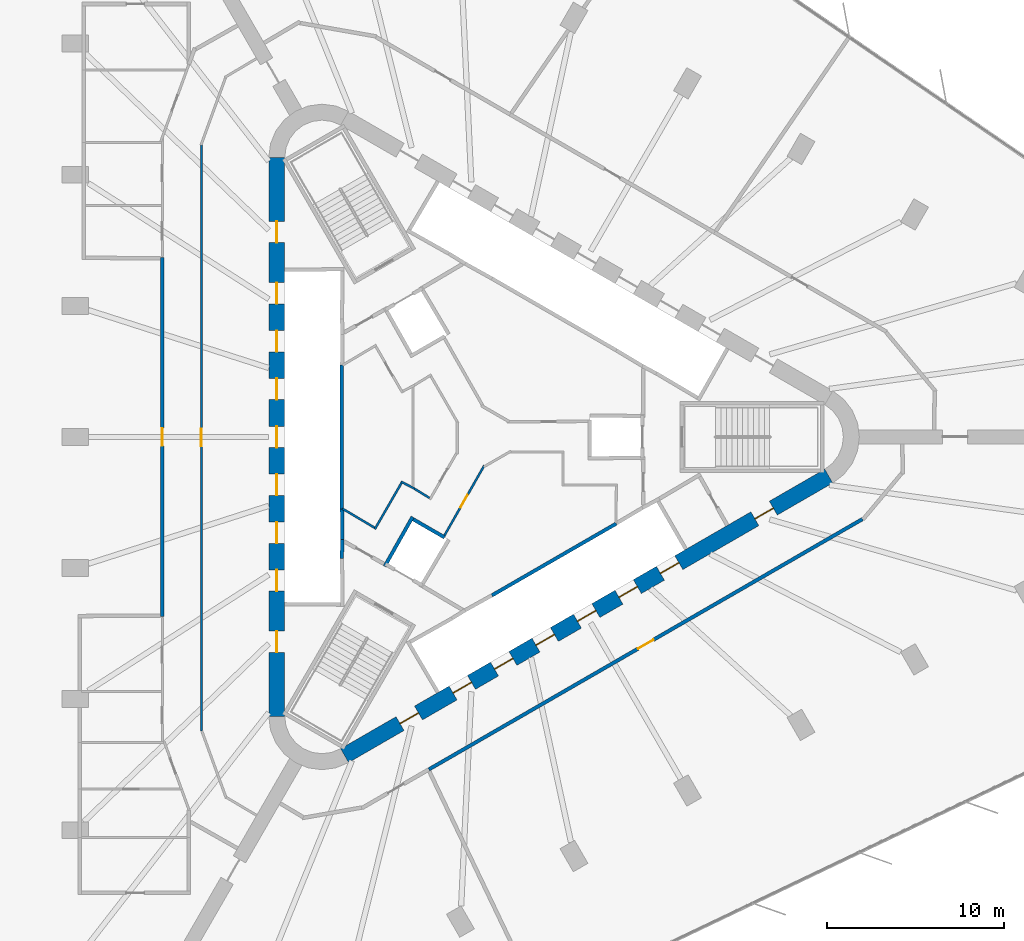
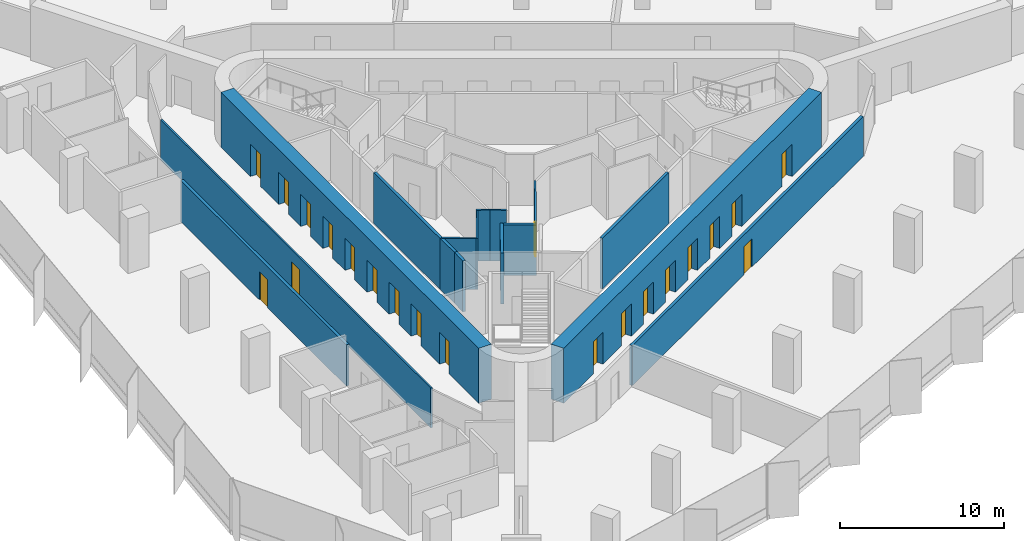
# One storey, part 10 of 15: 21 doors, 16 walls, 21 openings.
"""IFC4 building model written with IfcOpenShell, lengths in metres."""

from ifc_helpers import new_model, si_unit, direction, frame, frame_2d, origin, place, context, subcontext, project, spatial, rectangle, extrude, material, layer, layer_set, type_object, element, fill, save


model = new_model("IFC4")

# Units and contexts
model_context = context("Model", 3, precision=1e-05, world=origin(), true_north=direction((0.0, 1.0)))
body_context = subcontext(model_context, "Body", "Model", "MODEL_VIEW")
ifc_project = project(units=[si_unit("LENGTHUNIT", "METRE"), si_unit("AREAUNIT", "SQUARE_METRE"), si_unit("VOLUMEUNIT", "CUBIC_METRE"), si_unit("PLANEANGLEUNIT", "RADIAN"), si_unit("MASSUNIT", "GRAM", prefix="KILO")], contexts=[model_context])

# Site, building, storey
site_placement = place(None, origin())
site = spatial("IfcSite", under=ifc_project, at=site_placement, CompositionType="ELEMENT")
building_placement = place(site_placement, origin())
building = spatial("IfcBuilding", under=site, at=building_placement, Name="Tanit Gate Tower", CompositionType="ELEMENT")
storey_placement = place(building_placement, frame((0.0, 0.0, 98.800048828125)))
storey = spatial("IfcBuildingStorey", under=building, at=storey_placement, Name="L20", CompositionType="ELEMENT", Elevation=98.800048828125)

# Wall, openings, doors
ifc_material_1 = material(Name="Concrete C60/75", Category="concrete")
ifc_layer_1 = layer(ifc_material_1, 0.89990234375)
ifc_layer_set_1 = layer_set([ifc_layer_1], Name="CORE WALL 900 C60/75")
wall_type_1 = type_object("IfcWallType", Name="CORE WALL 900 C60/75", PredefinedType="SHEAR", material=ifc_layer_set_1)
wall_1_placement = place(storey_placement, frame((-11.64990234375, 15.76171875, 0.0), z_axis=(0.0, 0.0, 1.0), x_axis=(0.0, -1.0, 0.0)))
wall_1 = element("IfcWall", 1, at=wall_1_placement, inside=storey, type_object=wall_type_1, Name="CORE WALL", PredefinedType="SHEAR", context=body_context, shape_type="SweptSolid", body=[
    extrude(rectangle(XDim=31.5234375, YDim=0.89990234375, at=frame_2d((15.76171875, 0.0))), origin(), (0.0, 0.0, 1.0), 4.099853515625),
])
opening_1_placement = place(wall_1_placement, frame((7.061767578125, 0.0, 0.0)))
opening_1 = element("IfcOpeningElement", 2, at=opening_1_placement, cuts=wall_1, Name="Opening LDLL1-S04", PredefinedType="OPENING", context=body_context, shape_type="SweptSolid", body=[
    extrude(rectangle(XDim=1.199951171875, YDim=2.39990234375, at=frame_2d((0.60009765625, 1.199951171875))), frame((0.0, 0.4599609375, 0.0), z_axis=(0.0, -1.0, 0.0), x_axis=(1.0, 0.0, 0.0)), (0.0, 0.0, 1.0), 0.919921875),
])
opening_2_placement = place(wall_1_placement, frame((9.76171875, 0.0, 0.0)))
opening_2 = element("IfcOpeningElement", 3, at=opening_2_placement, cuts=wall_1, Name="Opening LDLL2-S04", PredefinedType="OPENING", context=body_context, shape_type="SweptSolid", body=[
    extrude(rectangle(XDim=1.199951171875, YDim=2.39990234375, at=frame_2d((0.60009765625, 1.199951171875))), frame((0.0, 0.4599609375, 0.0), z_axis=(0.0, -1.0, 0.0), x_axis=(1.0, 0.0, 0.0)), (0.0, 0.0, 1.0), 0.919921875),
])
opening_3_placement = place(wall_1_placement, frame((12.461669921875, 0.0, 0.0)))
opening_3 = element("IfcOpeningElement", 4, at=opening_3_placement, cuts=wall_1, Name="Opening LDLL3-S04", PredefinedType="OPENING", context=body_context, shape_type="SweptSolid", body=[
    extrude(rectangle(XDim=1.199951171875, YDim=2.39990234375, at=frame_2d((0.60009765625, 1.199951171875))), frame((0.0, 0.4599609375, 0.0), z_axis=(0.0, -1.0, 0.0), x_axis=(1.0, 0.0, 0.0)), (0.0, 0.0, 1.0), 0.919921875),
])
opening_4_placement = place(wall_1_placement, frame((15.16162109375, 0.0, 0.0)))
opening_4 = element("IfcOpeningElement", 5, at=opening_4_placement, cuts=wall_1, Name="Opening LDLL4-S04", PredefinedType="OPENING", context=body_context, shape_type="SweptSolid", body=[
    extrude(rectangle(XDim=1.199951171875, YDim=2.39990234375, at=frame_2d((0.60009765625, 1.199951171875))), frame((0.0, 0.4599609375, 0.0), z_axis=(0.0, -1.0, 0.0), x_axis=(1.0, 0.0, 0.0)), (0.0, 0.0, 1.0), 0.919921875),
])
opening_5_placement = place(wall_1_placement, frame((17.86181640625, 0.0, 0.0)))
opening_5 = element("IfcOpeningElement", 6, at=opening_5_placement, cuts=wall_1, Name="Opening LDLL5-S04", PredefinedType="OPENING", context=body_context, shape_type="SweptSolid", body=[
    extrude(rectangle(XDim=1.199951171875, YDim=2.39990234375, at=frame_2d((0.60009765625, 1.199951171875))), frame((0.0, 0.4599609375, 0.0), z_axis=(0.0, -1.0, 0.0), x_axis=(1.0, 0.0, 0.0)), (0.0, 0.0, 1.0), 0.919921875),
])
opening_6_placement = place(wall_1_placement, frame((20.561767578125, 0.0, 0.0)))
opening_6 = element("IfcOpeningElement", 7, at=opening_6_placement, cuts=wall_1, Name="Opening LDLL6-S04", PredefinedType="OPENING", context=body_context, shape_type="SweptSolid", body=[
    extrude(rectangle(XDim=1.199951171875, YDim=2.39990234375, at=frame_2d((0.60009765625, 1.199951171875))), frame((0.0, 0.4599609375, 0.0), z_axis=(0.0, -1.0, 0.0), x_axis=(1.0, 0.0, 0.0)), (0.0, 0.0, 1.0), 0.919921875),
])
opening_7_placement = place(wall_1_placement, frame((23.26171875, 0.0, 0.0)))
opening_7 = element("IfcOpeningElement", 8, at=opening_7_placement, cuts=wall_1, Name="Opening LDLL7-S04", PredefinedType="OPENING", context=body_context, shape_type="SweptSolid", body=[
    extrude(rectangle(XDim=1.199951171875, YDim=2.39990234375, at=frame_2d((0.60009765625, 1.199951171875))), frame((0.0, 0.4599609375, 0.0), z_axis=(0.0, -1.0, 0.0), x_axis=(1.0, 0.0, 0.0)), (0.0, 0.0, 1.0), 0.919921875),
])
opening_8_placement = place(wall_1_placement, frame((3.61181640625, 0.0, 0.0)))
opening_8 = element("IfcOpeningElement", 9, at=opening_8_placement, cuts=wall_1, Name="Opening F12-S04-FL2", PredefinedType="OPENING", context=body_context, shape_type="SweptSolid", body=[
    extrude(rectangle(XDim=1.199951171875, YDim=2.39990234375, at=frame_2d((0.60009765625, 1.199951171875))), frame((0.0, 0.4599609375, 0.0), z_axis=(0.0, -1.0, 0.0), x_axis=(1.0, 0.0, 0.0)), (0.0, 0.0, 1.0), 0.919921875),
])
opening_9_placement = place(wall_1_placement, frame((26.711669921875, 0.0, 0.0)))
opening_9 = element("IfcOpeningElement", 10, at=opening_9_placement, cuts=wall_1, Name="Opening F12-S04-S3", PredefinedType="OPENING", context=body_context, shape_type="SweptSolid", body=[
    extrude(rectangle(XDim=1.199951171875, YDim=2.39990234375, at=frame_2d((0.60009765625, 1.199951171875))), frame((0.0, 0.4599609375, 0.0), z_axis=(0.0, -1.0, 0.0), x_axis=(1.0, 0.0, 0.0)), (0.0, 0.0, 1.0), 0.919921875),
])
ifc_material_2 = material(Name="Fire-rated steel door leaf", Category="steel")
door_type_1 = type_object("IfcDoorType", Name="INT-DOOR-FIRE-LOBBY-1200", OperationType="NOTDEFINED", PredefinedType="USERDEFINED", material=ifc_material_2)
door_1_placement = place(opening_8_placement, origin())
door_1 = element("IfcDoor", 11, at=door_1_placement, inside=storey, type_object=door_type_1, Name="Door F12-S04-FL2", ObjectType="FIRE DOOR", OperationType="SINGLE_SWING_LEFT", OverallHeight=2.39990234375, OverallWidth=1.199951171875, PredefinedType="USERDEFINED", context=body_context, shape_type="SweptSolid", body=[
    extrude(rectangle(XDim=1.199951171875, YDim=2.39990234375, at=frame_2d((0.60009765625, 1.199951171875))), frame((0.0, 0.02490234375, 0.0), z_axis=(0.0, -1.0, 0.0), x_axis=(1.0, 0.0, 0.0)), (0.0, 0.0, 1.0), 0.050048828125),
])
fill(opening_8, door_1)
door_2_placement = place(opening_9_placement, origin())
door_2 = element("IfcDoor", 12, at=door_2_placement, inside=storey, type_object=door_type_1, Name="Door F12-S04-S3", ObjectType="FIRE DOOR", OperationType="SINGLE_SWING_RIGHT", OverallHeight=2.39990234375, OverallWidth=1.199951171875, PredefinedType="USERDEFINED", context=body_context, shape_type="SweptSolid", body=[
    extrude(rectangle(XDim=1.199951171875, YDim=2.39990234375, at=frame_2d((0.60009765625, 1.199951171875))), frame((0.0, 0.02490234375, 0.0), z_axis=(0.0, -1.0, 0.0), x_axis=(1.0, 0.0, 0.0)), (0.0, 0.0, 1.0), 0.050048828125),
])
fill(opening_9, door_2)
ifc_material_3 = material(Name="Stainless steel sliding door leaf", Category="steel")
door_type_2 = type_object("IfcDoorType", Name="INT-DOOR-LANDING-1200", OperationType="NOTDEFINED", PredefinedType="USERDEFINED", material=ifc_material_3)
door_3_placement = place(opening_1_placement, origin())
door_3 = element("IfcDoor", 13, at=door_3_placement, inside=storey, type_object=door_type_2, Name="Door LDLL1-S04", ObjectType="LANDING DOOR", OperationType="SLIDING_TO_LEFT", OverallHeight=2.39990234375, OverallWidth=1.199951171875, PredefinedType="USERDEFINED", context=body_context, shape_type="SweptSolid", body=[
    extrude(rectangle(XDim=1.199951171875, YDim=2.39990234375, at=frame_2d((0.60009765625, 1.199951171875))), frame((0.0, 0.02490234375, 0.0), z_axis=(0.0, -1.0, 0.0), x_axis=(1.0, 0.0, 0.0)), (0.0, 0.0, 1.0), 0.050048828125),
])
fill(opening_1, door_3)
door_4_placement = place(opening_2_placement, origin())
door_4 = element("IfcDoor", 14, at=door_4_placement, inside=storey, type_object=door_type_2, Name="Door LDLL2-S04", ObjectType="LANDING DOOR", OperationType="SLIDING_TO_LEFT", OverallHeight=2.39990234375, OverallWidth=1.199951171875, PredefinedType="USERDEFINED", context=body_context, shape_type="SweptSolid", body=[
    extrude(rectangle(XDim=1.199951171875, YDim=2.39990234375, at=frame_2d((0.60009765625, 1.199951171875))), frame((0.0, 0.02490234375, 0.0), z_axis=(0.0, -1.0, 0.0), x_axis=(1.0, 0.0, 0.0)), (0.0, 0.0, 1.0), 0.050048828125),
])
fill(opening_2, door_4)
door_5_placement = place(opening_3_placement, origin())
door_5 = element("IfcDoor", 15, at=door_5_placement, inside=storey, type_object=door_type_2, Name="Door LDLL3-S04", ObjectType="LANDING DOOR", OperationType="SLIDING_TO_LEFT", OverallHeight=2.39990234375, OverallWidth=1.199951171875, PredefinedType="USERDEFINED", context=body_context, shape_type="SweptSolid", body=[
    extrude(rectangle(XDim=1.199951171875, YDim=2.39990234375, at=frame_2d((0.60009765625, 1.199951171875))), frame((0.0, 0.02490234375, 0.0), z_axis=(0.0, -1.0, 0.0), x_axis=(1.0, 0.0, 0.0)), (0.0, 0.0, 1.0), 0.050048828125),
])
fill(opening_3, door_5)
door_6_placement = place(opening_4_placement, origin())
door_6 = element("IfcDoor", 16, at=door_6_placement, inside=storey, type_object=door_type_2, Name="Door LDLL4-S04", ObjectType="LANDING DOOR", OperationType="SLIDING_TO_LEFT", OverallHeight=2.39990234375, OverallWidth=1.199951171875, PredefinedType="USERDEFINED", context=body_context, shape_type="SweptSolid", body=[
    extrude(rectangle(XDim=1.199951171875, YDim=2.39990234375, at=frame_2d((0.60009765625, 1.199951171875))), frame((0.0, 0.02490234375, 0.0), z_axis=(0.0, -1.0, 0.0), x_axis=(1.0, 0.0, 0.0)), (0.0, 0.0, 1.0), 0.050048828125),
])
fill(opening_4, door_6)
door_7_placement = place(opening_5_placement, origin())
door_7 = element("IfcDoor", 17, at=door_7_placement, inside=storey, type_object=door_type_2, Name="Door LDLL5-S04", ObjectType="LANDING DOOR", OperationType="SLIDING_TO_LEFT", OverallHeight=2.39990234375, OverallWidth=1.199951171875, PredefinedType="USERDEFINED", context=body_context, shape_type="SweptSolid", body=[
    extrude(rectangle(XDim=1.199951171875, YDim=2.39990234375, at=frame_2d((0.60009765625, 1.199951171875))), frame((0.0, 0.02490234375, 0.0), z_axis=(0.0, -1.0, 0.0), x_axis=(1.0, 0.0, 0.0)), (0.0, 0.0, 1.0), 0.050048828125),
])
fill(opening_5, door_7)
door_8_placement = place(opening_6_placement, origin())
door_8 = element("IfcDoor", 18, at=door_8_placement, inside=storey, type_object=door_type_2, Name="Door LDLL6-S04", ObjectType="LANDING DOOR", OperationType="SLIDING_TO_LEFT", OverallHeight=2.39990234375, OverallWidth=1.199951171875, PredefinedType="USERDEFINED", context=body_context, shape_type="SweptSolid", body=[
    extrude(rectangle(XDim=1.199951171875, YDim=2.39990234375, at=frame_2d((0.60009765625, 1.199951171875))), frame((0.0, 0.02490234375, 0.0), z_axis=(0.0, -1.0, 0.0), x_axis=(1.0, 0.0, 0.0)), (0.0, 0.0, 1.0), 0.050048828125),
])
fill(opening_6, door_8)
door_9_placement = place(opening_7_placement, origin())
door_9 = element("IfcDoor", 19, at=door_9_placement, inside=storey, type_object=door_type_2, Name="Door LDLL7-S04", ObjectType="LANDING DOOR", OperationType="SLIDING_TO_LEFT", OverallHeight=2.39990234375, OverallWidth=1.199951171875, PredefinedType="USERDEFINED", context=body_context, shape_type="SweptSolid", body=[
    extrude(rectangle(XDim=1.199951171875, YDim=2.39990234375, at=frame_2d((0.60009765625, 1.199951171875))), frame((0.0, 0.02490234375, 0.0), z_axis=(0.0, -1.0, 0.0), x_axis=(1.0, 0.0, 0.0)), (0.0, 0.0, 1.0), 0.050048828125),
])
fill(opening_7, door_9)

wall_2_placement = place(storey_placement, frame((-7.824951171875, -17.969970703125, 0.0), z_axis=(0.0, 0.0, 1.0), x_axis=(0.866028369851, 0.499994862586, 0.0)))
wall_2 = element("IfcWall", 20, at=wall_2_placement, inside=storey, type_object=wall_type_1, Name="CORE WALL", PredefinedType="SHEAR", context=body_context, shape_type="SweptSolid", body=[
    extrude(rectangle(XDim=31.523193359375, YDim=0.89990234375, at=frame_2d((15.76171875, 0.0))), origin(), (0.0, 0.0, 1.0), 4.099853515625),
])
opening_10_placement = place(wall_2_placement, frame((7.061767578125, 0.0, 0.0)))
opening_10 = element("IfcOpeningElement", 21, at=opening_10_placement, cuts=wall_2, Name="Opening LDSX1-S04", PredefinedType="OPENING", context=body_context, shape_type="SweptSolid", body=[
    extrude(rectangle(XDim=1.199951171875, YDim=2.39990234375, at=frame_2d((0.60009765625, 1.199951171875))), frame((0.0, 0.4599609375, 0.0), z_axis=(0.0, -1.0, 0.0), x_axis=(1.0, 0.0, 0.0)), (0.0, 0.0, 1.0), 0.919921875),
])
opening_11_placement = place(wall_2_placement, frame((9.76171875, 0.0, 0.0)))
opening_11 = element("IfcOpeningElement", 22, at=opening_11_placement, cuts=wall_2, Name="Opening LDSX2-S04", PredefinedType="OPENING", context=body_context, shape_type="SweptSolid", body=[
    extrude(rectangle(XDim=1.199951171875, YDim=2.39990234375, at=frame_2d((0.60009765625, 1.199951171875))), frame((0.0, 0.4599609375, 0.0), z_axis=(0.0, -1.0, 0.0), x_axis=(1.0, 0.0, 0.0)), (0.0, 0.0, 1.0), 0.919921875),
])
opening_12_placement = place(wall_2_placement, frame((12.461669921875, 0.0, 0.0)))
opening_12 = element("IfcOpeningElement", 23, at=opening_12_placement, cuts=wall_2, Name="Opening LDSX3-S04", PredefinedType="OPENING", context=body_context, shape_type="SweptSolid", body=[
    extrude(rectangle(XDim=1.199951171875, YDim=2.39990234375, at=frame_2d((0.60009765625, 1.199951171875))), frame((0.0, 0.4599609375, 0.0), z_axis=(0.0, -1.0, 0.0), x_axis=(1.0, 0.0, 0.0)), (0.0, 0.0, 1.0), 0.919921875),
])
opening_13_placement = place(wall_2_placement, frame((15.16162109375, 0.0, 0.0)))
opening_13 = element("IfcOpeningElement", 24, at=opening_13_placement, cuts=wall_2, Name="Opening LDSX4-S04", PredefinedType="OPENING", context=body_context, shape_type="SweptSolid", body=[
    extrude(rectangle(XDim=1.199951171875, YDim=2.39990234375, at=frame_2d((0.60009765625, 1.199951171875))), frame((0.0, 0.4599609375, 0.0), z_axis=(0.0, -1.0, 0.0), x_axis=(1.0, 0.0, 0.0)), (0.0, 0.0, 1.0), 0.919921875),
])
opening_14_placement = place(wall_2_placement, frame((17.861572265625, 0.0, 0.0)))
opening_14 = element("IfcOpeningElement", 25, at=opening_14_placement, cuts=wall_2, Name="Opening LDSV1-S04", PredefinedType="OPENING", context=body_context, shape_type="SweptSolid", body=[
    extrude(rectangle(XDim=1.199951171875, YDim=2.39990234375, at=frame_2d((0.60009765625, 1.199951171875))), frame((0.0, 0.4599609375, 0.0), z_axis=(0.0, -1.0, 0.0), x_axis=(1.0, 0.0, 0.0)), (0.0, 0.0, 1.0), 0.919921875),
])
opening_15_placement = place(wall_2_placement, frame((20.561767578125, 0.0, 0.0)))
opening_15 = element("IfcOpeningElement", 26, at=opening_15_placement, cuts=wall_2, Name="Opening LDSV2-S04", PredefinedType="OPENING", context=body_context, shape_type="SweptSolid", body=[
    extrude(rectangle(XDim=1.199951171875, YDim=2.39990234375, at=frame_2d((0.60009765625, 1.199951171875))), frame((0.0, 0.4599609375, 0.0), z_axis=(0.0, -1.0, 0.0), x_axis=(1.0, 0.0, 0.0)), (0.0, 0.0, 1.0), 0.919921875),
])
opening_16_placement = place(wall_2_placement, frame((26.711669921875, 0.0, 0.0)))
opening_16 = element("IfcOpeningElement", 27, at=opening_16_placement, cuts=wall_2, Name="Opening F12-S04-S1", PredefinedType="OPENING", context=body_context, shape_type="SweptSolid", body=[
    extrude(rectangle(XDim=1.199951171875, YDim=2.39990234375, at=frame_2d((0.60009765625, 1.199951171875))), frame((0.0, 0.4599609375, 0.0), z_axis=(0.0, -1.0, 0.0), x_axis=(1.0, 0.0, 0.0)), (0.0, 0.0, 1.0), 0.919921875),
])
opening_17_placement = place(wall_2_placement, frame((3.611572265625, 0.0, 0.0)))
opening_17 = element("IfcOpeningElement", 28, at=opening_17_placement, cuts=wall_2, Name="Opening F12-S04-FL3", PredefinedType="OPENING", context=body_context, shape_type="SweptSolid", body=[
    extrude(rectangle(XDim=1.199951171875, YDim=2.39990234375, at=frame_2d((0.60009765625, 1.199951171875))), frame((0.0, 0.4599609375, 0.0), z_axis=(0.0, -1.0, 0.0), x_axis=(1.0, 0.0, 0.0)), (0.0, 0.0, 1.0), 0.919921875),
])
door_10_placement = place(opening_16_placement, origin())
door_10 = element("IfcDoor", 29, at=door_10_placement, inside=storey, type_object=door_type_1, Name="Door F12-S04-S1", ObjectType="FIRE DOOR", OperationType="SINGLE_SWING_LEFT", OverallHeight=2.39990234375, OverallWidth=1.199951171875, PredefinedType="USERDEFINED", context=body_context, shape_type="SweptSolid", body=[
    extrude(rectangle(XDim=1.199951171875, YDim=2.39990234375, at=frame_2d((0.60009765625, 1.199951171875))), frame((0.0, 0.02490234375, 0.0), z_axis=(0.0, -1.0, 0.0), x_axis=(1.0, 0.0, 0.0)), (0.0, 0.0, 1.0), 0.050048828125),
])
fill(opening_16, door_10)
door_11_placement = place(opening_17_placement, origin())
door_11 = element("IfcDoor", 30, at=door_11_placement, inside=storey, type_object=door_type_1, Name="Door F12-S04-FL3", ObjectType="FIRE DOOR", OperationType="SINGLE_SWING_LEFT", OverallHeight=2.39990234375, OverallWidth=1.199951171875, PredefinedType="USERDEFINED", context=body_context, shape_type="SweptSolid", body=[
    extrude(rectangle(XDim=1.199951171875, YDim=2.39990234375, at=frame_2d((0.60009765625, 1.199951171875))), frame((0.0, 0.02490234375, 0.0), z_axis=(0.0, -1.0, 0.0), x_axis=(1.0, 0.0, 0.0)), (0.0, 0.0, 1.0), 0.050048828125),
])
fill(opening_17, door_11)
door_12_placement = place(opening_10_placement, origin())
door_12 = element("IfcDoor", 31, at=door_12_placement, inside=storey, type_object=door_type_2, Name="Door LDSX1-S04", ObjectType="LANDING DOOR", OperationType="SLIDING_TO_LEFT", OverallHeight=2.39990234375, OverallWidth=1.199951171875, PredefinedType="USERDEFINED", context=body_context, shape_type="SweptSolid", body=[
    extrude(rectangle(XDim=1.199951171875, YDim=2.39990234375, at=frame_2d((0.60009765625, 1.199951171875))), frame((0.0, 0.02490234375, 0.0), z_axis=(0.0, -1.0, 0.0), x_axis=(1.0, 0.0, 0.0)), (0.0, 0.0, 1.0), 0.050048828125),
])
fill(opening_10, door_12)
door_13_placement = place(opening_11_placement, origin())
door_13 = element("IfcDoor", 32, at=door_13_placement, inside=storey, type_object=door_type_2, Name="Door LDSX2-S04", ObjectType="LANDING DOOR", OperationType="SLIDING_TO_LEFT", OverallHeight=2.39990234375, OverallWidth=1.199951171875, PredefinedType="USERDEFINED", context=body_context, shape_type="SweptSolid", body=[
    extrude(rectangle(XDim=1.199951171875, YDim=2.39990234375, at=frame_2d((0.60009765625, 1.199951171875))), frame((0.0, 0.02490234375, 0.0), z_axis=(0.0, -1.0, 0.0), x_axis=(1.0, 0.0, 0.0)), (0.0, 0.0, 1.0), 0.050048828125),
])
fill(opening_11, door_13)
door_14_placement = place(opening_12_placement, origin())
door_14 = element("IfcDoor", 33, at=door_14_placement, inside=storey, type_object=door_type_2, Name="Door LDSX3-S04", ObjectType="LANDING DOOR", OperationType="SLIDING_TO_LEFT", OverallHeight=2.39990234375, OverallWidth=1.199951171875, PredefinedType="USERDEFINED", context=body_context, shape_type="SweptSolid", body=[
    extrude(rectangle(XDim=1.199951171875, YDim=2.39990234375, at=frame_2d((0.60009765625, 1.199951171875))), frame((0.0, 0.02490234375, 0.0), z_axis=(0.0, -1.0, 0.0), x_axis=(1.0, 0.0, 0.0)), (0.0, 0.0, 1.0), 0.050048828125),
])
fill(opening_12, door_14)
door_15_placement = place(opening_13_placement, origin())
door_15 = element("IfcDoor", 34, at=door_15_placement, inside=storey, type_object=door_type_2, Name="Door LDSX4-S04", ObjectType="LANDING DOOR", OperationType="SLIDING_TO_LEFT", OverallHeight=2.39990234375, OverallWidth=1.199951171875, PredefinedType="USERDEFINED", context=body_context, shape_type="SweptSolid", body=[
    extrude(rectangle(XDim=1.199951171875, YDim=2.39990234375, at=frame_2d((0.60009765625, 1.199951171875))), frame((0.0, 0.02490234375, 0.0), z_axis=(0.0, -1.0, 0.0), x_axis=(1.0, 0.0, 0.0)), (0.0, 0.0, 1.0), 0.050048828125),
])
fill(opening_13, door_15)
door_16_placement = place(opening_14_placement, origin())
door_16 = element("IfcDoor", 35, at=door_16_placement, inside=storey, type_object=door_type_2, Name="Door LDSV1-S04", ObjectType="LANDING DOOR", OperationType="SLIDING_TO_LEFT", OverallHeight=2.39990234375, OverallWidth=1.199951171875, PredefinedType="USERDEFINED", context=body_context, shape_type="SweptSolid", body=[
    extrude(rectangle(XDim=1.199951171875, YDim=2.39990234375, at=frame_2d((0.60009765625, 1.199951171875))), frame((0.0, 0.02490234375, 0.0), z_axis=(0.0, -1.0, 0.0), x_axis=(1.0, 0.0, 0.0)), (0.0, 0.0, 1.0), 0.050048828125),
])
fill(opening_14, door_16)
door_17_placement = place(opening_15_placement, origin())
door_17 = element("IfcDoor", 36, at=door_17_placement, inside=storey, type_object=door_type_2, Name="Door LDSV2-S04", ObjectType="LANDING DOOR", OperationType="SLIDING_TO_LEFT", OverallHeight=2.39990234375, OverallWidth=1.199951171875, PredefinedType="USERDEFINED", context=body_context, shape_type="SweptSolid", body=[
    extrude(rectangle(XDim=1.199951171875, YDim=2.39990234375, at=frame_2d((0.60009765625, 1.199951171875))), frame((0.0, 0.02490234375, 0.0), z_axis=(0.0, -1.0, 0.0), x_axis=(1.0, 0.0, 0.0)), (0.0, 0.0, 1.0), 0.050048828125),
])
fill(opening_15, door_17)

# Wall, opening, door
ifc_material_4 = material(Name="Fire-rated gypsum board partition")
ifc_layer_2 = layer(ifc_material_4, 0.199951171875)
ifc_layer_set_2 = layer_set([ifc_layer_2], Name="INT-WALL-COMPARTMENT")
wall_type_2 = type_object("IfcWallType", Name="INT-WALL-COMPARTMENT", PredefinedType="PARTITIONING", material=ifc_layer_set_2)
wall_3_placement = place(storey_placement, frame((-18.10009765625, 10.1298828125, 0.0), z_axis=(0.0, 0.0, 1.0), x_axis=(0.0, -1.0, 0.0)))
wall_3 = element("IfcWall", 37, at=wall_3_placement, inside=storey, type_object=wall_type_2, Name="Wall Compartment W091", PredefinedType="PARTITIONING", context=body_context, shape_type="SweptSolid", body=[
    extrude(rectangle(XDim=20.259765625, YDim=0.199951171875, at=frame_2d((10.1298828125, 0.0))), origin(), (0.0, 0.0, 1.0), 3.079833984375),
])
opening_18_placement = place(wall_3_placement, frame((9.6298828125, 0.0, 0.0)))
opening_18 = element("IfcOpeningElement", 38, at=opening_18_placement, cuts=wall_3, Name="Opening F10-S04-25", PredefinedType="OPENING", context=body_context, shape_type="SweptSolid", body=[
    extrude(rectangle(XDim=1.0, YDim=2.10009765625, at=frame_2d((0.5, 1.050048828125))), frame((0.0, 0.10986328125, 0.0), z_axis=(0.0, -1.0, 0.0), x_axis=(1.0, 0.0, 0.0)), (0.0, 0.0, 1.0), 0.219970703125),
])
ifc_material_5 = material(Name="Fire-rated steel door leaf", Category="steel")
door_type_3 = type_object("IfcDoorType", Name="INT-DOOR-FIRE-1000", OperationType="NOTDEFINED", PredefinedType="USERDEFINED", material=ifc_material_5)
door_18_placement = place(opening_18_placement, origin())
door_18 = element("IfcDoor", 39, at=door_18_placement, inside=storey, type_object=door_type_3, Name="Door F10-S04-25", ObjectType="FIRE DOOR", OperationType="SINGLE_SWING_LEFT", OverallHeight=2.10009765625, OverallWidth=1.0, PredefinedType="USERDEFINED", context=body_context, shape_type="SweptSolid", body=[
    extrude(rectangle(XDim=1.0, YDim=2.10009765625, at=frame_2d((0.5, 1.050048828125))), frame((0.0, 0.02490234375, 0.0), z_axis=(0.0, -1.0, 0.0), x_axis=(1.0, 0.0, 0.0)), (0.0, 0.0, 1.0), 0.050048828125),
])
fill(opening_18, door_18)

wall_4_placement = place(storey_placement, frame((-3.071533203125, -18.747314453125, 0.0), z_axis=(0.0, 0.0, 1.0), x_axis=(0.866027760718, 0.499995917648, 0.0)))
wall_4 = element("IfcWall", 40, at=wall_4_placement, inside=storey, type_object=wall_type_2, Name="Wall Compartment W112", PredefinedType="PARTITIONING", context=body_context, shape_type="SweptSolid", body=[
    extrude(rectangle(XDim=28.233154296875, YDim=0.199951171875, at=frame_2d((14.11669921875, 0.0))), origin(), (0.0, 0.0, 1.0), 2.97998046875),
])
opening_19_placement = place(wall_4_placement, frame((13.61669921875, 0.0, 0.0)))
opening_19 = element("IfcOpeningElement", 41, at=opening_19_placement, cuts=wall_4, Name="Opening F10-S04-29", PredefinedType="OPENING", context=body_context, shape_type="SweptSolid", body=[
    extrude(rectangle(XDim=1.0, YDim=2.10009765625, at=frame_2d((0.5, 1.050048828125))), frame((0.0, 0.10986328125, 0.0), z_axis=(0.0, -1.0, 0.0), x_axis=(1.0, 0.0, 0.0)), (0.0, 0.0, 1.0), 0.219970703125),
])
door_19_placement = place(opening_19_placement, origin())
door_19 = element("IfcDoor", 42, at=door_19_placement, inside=storey, type_object=door_type_3, Name="Door F10-S04-29", ObjectType="FIRE DOOR", OperationType="SINGLE_SWING_LEFT", OverallHeight=2.10009765625, OverallWidth=1.0, PredefinedType="USERDEFINED", context=body_context, shape_type="SweptSolid", body=[
    extrude(rectangle(XDim=1.0, YDim=2.10009765625, at=frame_2d((0.5, 1.050048828125))), frame((0.0, 0.02490234375, 0.0), z_axis=(0.0, -1.0, 0.0), x_axis=(1.0, 0.0, 0.0)), (0.0, 0.0, 1.0), 0.050048828125),
])
fill(opening_19, door_19)

ifc_material_6 = material(Name="Gypsum board partition")
ifc_layer_3 = layer(ifc_material_6, 0.1201171875)
ifc_layer_set_3 = layer_set([ifc_layer_3], Name="INT-WALL-PARTITION")
wall_type_3 = type_object("IfcWallType", Name="INT-WALL-PARTITION", PredefinedType="PARTITIONING", material=ifc_layer_set_3)
wall_5_placement = place(storey_placement, frame((0.050537109375, -1.611083984375, 0.0), z_axis=(0.0, 0.0, 1.0), x_axis=(-0.49434454467, -0.869266053148, 0.0)))
wall_5 = element("IfcWall", 43, at=wall_5_placement, inside=storey, type_object=wall_type_3, Name="Wall Partition W068", PredefinedType="PARTITIONING", context=body_context, shape_type="SweptSolid", body=[
    extrude(rectangle(XDim=4.5302734375, YDim=0.1201171875, at=frame_2d((2.26513671875, 0.0))), origin(), (0.0, 0.0, 1.0), 3.800048828125),
])
opening_20_placement = place(wall_5_placement, frame((1.916259765625, 0.0, 0.0)))
opening_20 = element("IfcOpeningElement", 44, at=opening_20_placement, cuts=wall_5, Name="Opening R08-S04-11", PredefinedType="OPENING", context=body_context, shape_type="SweptSolid", body=[
    extrude(rectangle(XDim=0.800048828125, YDim=2.10009765625, at=frame_2d((0.39990234375, 1.050048828125))), frame((0.0, 0.070068359375, 0.0), z_axis=(0.0, -1.0, 0.0), x_axis=(1.0, 0.0, 0.0)), (0.0, 0.0, 1.0), 0.14013671875),
])
ifc_material_7 = material(Name="Timber door leaf", Category="wood")
door_type_4 = type_object("IfcDoorType", Name="INT-DOOR-RISER-800", OperationType="NOTDEFINED", PredefinedType="USERDEFINED", material=ifc_material_7)
door_20_placement = place(opening_20_placement, origin())
door_20 = element("IfcDoor", 45, at=door_20_placement, inside=storey, type_object=door_type_4, Name="Door R08-S04-11", ObjectType="FIRE DOOR", OperationType="SINGLE_SWING_LEFT", OverallHeight=2.10009765625, OverallWidth=0.800048828125, PredefinedType="USERDEFINED", context=body_context, shape_type="SweptSolid", body=[
    extrude(rectangle(XDim=0.800048828125, YDim=2.10009765625, at=frame_2d((0.39990234375, 1.050048828125))), frame((0.0, 0.02490234375, 0.0), z_axis=(0.0, -1.0, 0.0), x_axis=(1.0, 0.0, 0.0)), (0.0, 0.0, 1.0), 0.050048828125),
])
fill(opening_20, door_20)

# Walls
wall_6_placement = place(storey_placement, frame((-4.641357421875, -2.519287109375, 0.0), z_axis=(0.0, 0.0, 1.0), x_axis=(0.885386208329, -0.464856173564, 0.0)))
element("IfcWall", 46, at=wall_6_placement, inside=storey, type_object=wall_type_3, Name="Wall Partition W075", PredefinedType="PARTITIONING", context=body_context, shape_type="SweptSolid", body=[
    extrude(rectangle(XDim=0.859130859375, YDim=0.1201171875, at=frame_2d((0.4296875, 0.0))), origin(), (0.0, 0.0, 1.0), 3.800048828125),
])
wall_7_placement = place(storey_placement, frame((-6.1181640625, -5.197265625, 0.0), z_axis=(0.0, 0.0, 1.0), x_axis=(0.499990139034, 0.866031096941, 0.0)))
element("IfcWall", 47, at=wall_7_placement, inside=storey, type_object=wall_type_3, Name="Wall Partition W076", PredefinedType="PARTITIONING", context=body_context, shape_type="SweptSolid", body=[
    extrude(rectangle(XDim=3.0, YDim=0.1201171875, at=frame_2d((1.5, 0.0))), origin(), (0.0, 0.0, 1.0), 3.800048828125),
])
wall_8_placement = place(storey_placement, frame((-7.949951171875, -4.041015625, 0.0), z_axis=(0.0, 0.0, 1.0), x_axis=(0.860112457103, -0.510104461004, 0.0)))
element("IfcWall", 48, at=wall_8_placement, inside=storey, type_object=wall_type_3, Name="Wall Partition W077", PredefinedType="PARTITIONING", context=body_context, shape_type="SweptSolid", body=[
    extrude(rectangle(XDim=2.1044921875, YDim=0.1201171875, at=frame_2d((1.05224609375, 0.0))), origin(), (0.0, 0.0, 1.0), 3.800048828125),
])
wall_9_placement = place(storey_placement, frame((-3.882568359375, -2.92236328125, 0.0), z_axis=(0.0, 0.0, 1.0), x_axis=(0.852477364208, -0.522764137554, 0.0)))
element("IfcWall", 49, at=wall_9_placement, inside=storey, type_object=wall_type_3, Name="Wall Partition W085", PredefinedType="PARTITIONING", context=body_context, shape_type="SweptSolid", body=[
    extrude(rectangle(XDim=0.991455078125, YDim=0.1201171875, at=frame_2d((0.49560546875, 0.0))), origin(), (0.0, 0.0, 1.0), 3.800048828125),
])

# Wall, opening, door
wall_10_placement = place(storey_placement, frame((-15.89990234375, 16.451171875, 0.0), z_axis=(0.0, 0.0, 1.0), x_axis=(0.0, -1.0, 0.0)))
wall_10 = element("IfcWall", 50, at=wall_10_placement, inside=storey, type_object=wall_type_3, Name="Wall Partition W088", PredefinedType="PARTITIONING", context=body_context, shape_type="SweptSolid", body=[
    extrude(rectangle(XDim=33.022216796875, YDim=0.1201171875, at=frame_2d((16.51123046875, 0.0))), origin(), (0.0, 0.0, 1.0), 2.97998046875),
])
opening_21_placement = place(wall_10_placement, frame((15.981201171875, 0.0, 0.0)))
opening_21 = element("IfcOpeningElement", 51, at=opening_21_placement, cuts=wall_10, Name="Opening D10-S04-15", PredefinedType="OPENING", context=body_context, shape_type="SweptSolid", body=[
    extrude(rectangle(XDim=1.0, YDim=2.10009765625, at=frame_2d((0.5, 1.050048828125))), frame((0.0, 0.070068359375, 0.0), z_axis=(0.0, -1.0, 0.0), x_axis=(1.0, 0.0, 0.0)), (0.0, 0.0, 1.0), 0.14013671875),
])
ifc_material_8 = material(Name="Timber door leaf", Category="wood")
door_type_5 = type_object("IfcDoorType", Name="INT-DOOR-SINGLE-1000", OperationType="NOTDEFINED", PredefinedType="NOTDEFINED", material=ifc_material_8)
door_21_placement = place(opening_21_placement, origin())
door_21 = element("IfcDoor", 52, at=door_21_placement, inside=storey, type_object=door_type_5, Name="Door D10-S04-15", OperationType="SINGLE_SWING_LEFT", OverallHeight=2.10009765625, OverallWidth=1.0, PredefinedType="NOTDEFINED", context=body_context, shape_type="SweptSolid", body=[
    extrude(rectangle(XDim=1.0, YDim=2.10009765625, at=frame_2d((0.5, 1.050048828125))), frame((0.0, 0.02490234375, 0.0), z_axis=(0.0, -1.0, 0.0), x_axis=(1.0, 0.0, 0.0)), (0.0, 0.0, 1.0), 0.050048828125),
])
fill(opening_21, door_21)

# Walls
ifc_material_9 = material(Name="Gypsum shaft wall system")
ifc_layer_4 = layer(ifc_material_9, 0.199951171875)
ifc_layer_set_4 = layer_set([ifc_layer_4], Name="INT-WALL-SHAFT")
wall_type_4 = type_object("IfcWallType", Name="INT-WALL-SHAFT", PredefinedType="PLUMBINGWALL", material=ifc_layer_set_4)
wall_11_placement = place(storey_placement, frame((-7.97998046875, 4.050048828125, 0.0), z_axis=(0.0, 0.0, 1.0), x_axis=(0.0, -1.0, 0.0)))
element("IfcWall", 53, at=wall_11_placement, inside=storey, type_object=wall_type_4, Name="Wall Shaft W006", PredefinedType="PLUMBINGWALL", context=body_context, shape_type="SweptSolid", body=[
    extrude(rectangle(XDim=8.10009765625, YDim=0.199951171875, at=frame_2d((4.050048828125, 0.0))), origin(), (0.0, 0.0, 1.0), 3.800048828125),
])
wall_12_placement = place(storey_placement, frame((-7.949951171875, -5.7724609375, 0.0), z_axis=(0.0, 0.0, 1.0), x_axis=(-0.030803413295, -0.999525462272, 0.0)))
element("IfcWall", 54, at=wall_12_placement, inside=storey, type_object=wall_type_4, Name="Wall Shaft W009", PredefinedType="PLUMBINGWALL", context=body_context, shape_type="SweptSolid", body=[
    extrude(rectangle(XDim=1.077880859375, YDim=0.199951171875, at=frame_2d((0.5390625, 0.0))), origin(), (0.0, 0.0, 1.0), 3.800048828125),
])
wall_13_placement = place(storey_placement, frame((-7.971435546875, -4.050048828125, 0.0), z_axis=(0.0, 0.0, 1.0), x_axis=(0.012042535896, -0.999927486035, 0.0)))
element("IfcWall", 55, at=wall_13_placement, inside=storey, type_object=wall_type_4, Name="Wall Shaft W010", PredefinedType="PLUMBINGWALL", context=body_context, shape_type="SweptSolid", body=[
    extrude(rectangle(XDim=1.844970703125, YDim=0.199951171875, at=frame_2d((0.92236328125, 0.0))), origin(), (0.0, 0.0, 1.0), 3.800048828125),
])
wall_14_placement = place(storey_placement, frame((0.482666015625, -8.935791015625, 0.0), z_axis=(0.0, 0.0, 1.0), x_axis=(0.866030989016, 0.499990325971, 0.0)))
element("IfcWall", 56, at=wall_14_placement, inside=storey, type_object=wall_type_4, Name="Wall Shaft W031", PredefinedType="PLUMBINGWALL", context=body_context, shape_type="SweptSolid", body=[
    extrude(rectangle(XDim=8.099853515625, YDim=0.199951171875, at=frame_2d((4.0498046875, 0.0))), origin(), (0.0, 0.0, 1.0), 3.800048828125),
])
wall_15_placement = place(storey_placement, frame((-3.989990234375, -4.509033203125, 0.0), z_axis=(0.0, 0.0, 1.0), x_axis=(-0.491358283181, -0.870957540612, 0.0)))
element("IfcWall", 57, at=wall_15_placement, inside=storey, type_object=wall_type_4, Name="Wall Shaft W055", PredefinedType="PLUMBINGWALL", context=body_context, shape_type="SweptSolid", body=[
    extrude(rectangle(XDim=3.200439453125, YDim=0.199951171875, at=frame_2d((1.60009765625, 0.0))), origin(), (0.0, 0.0, 1.0), 3.800048828125),
])
wall_16_placement = place(storey_placement, frame((-3.95263671875, -4.646240234375, 0.0), z_axis=(0.0, 0.0, 1.0), x_axis=(0.866032100247, -0.499988401207, 0.0)))
element("IfcWall", 58, at=wall_16_placement, inside=storey, type_object=wall_type_4, Name="Wall Shaft W056", PredefinedType="PLUMBINGWALL", context=body_context, shape_type="SweptSolid", body=[
    extrude(rectangle(XDim=2.03955078125, YDim=0.199951171875, at=frame_2d((1.019775390625, 0.0))), origin(), (0.0, 0.0, 1.0), 3.800048828125),
])

save(model, "model.ifc")
